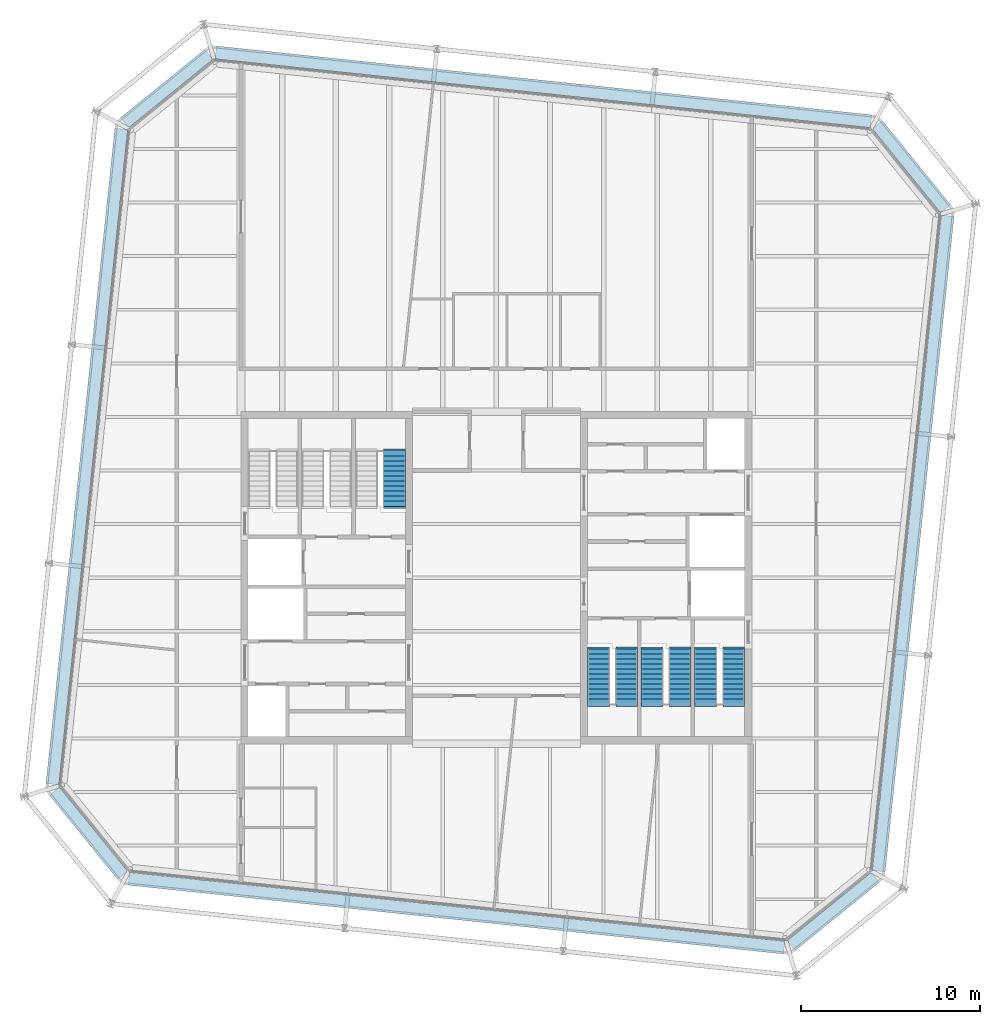
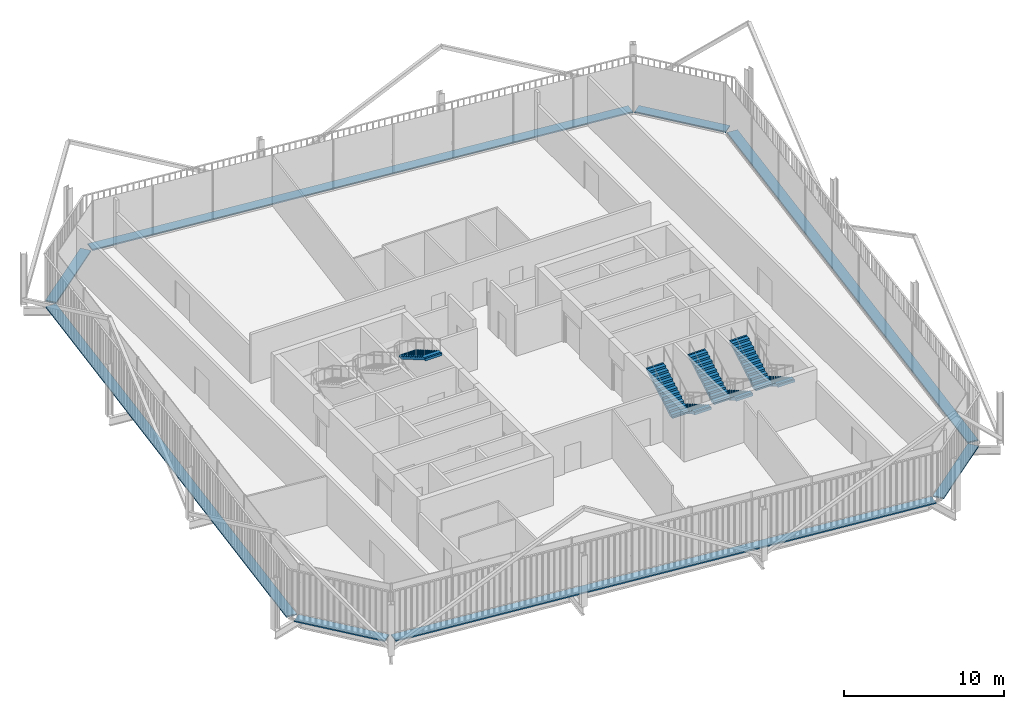
# One storey, part 20 of 21: 8 discrete accessories, 7 stair flights, 4 elements without a shape of their own.
"""IFC4 building model written with IfcOpenShell, lengths in metres."""

from ifc_helpers import new_model, si_unit, direction, frame, origin, origin_2d, place, context, subcontext, project, spatial, polyline, rectangle, outline, extrude, material, type_object, element, aggregate, save


model = new_model("IFC4")

# Units and contexts
model_context = context("Model", 3, precision=1e-05, world=origin(), true_north=direction((0.0, 1.0)))
body_context = subcontext(model_context, "Body", "Model", "MODEL_VIEW")
ifc_project = project(units=[si_unit("LENGTHUNIT", "METRE"), si_unit("AREAUNIT", "SQUARE_METRE"), si_unit("VOLUMEUNIT", "CUBIC_METRE"), si_unit("PLANEANGLEUNIT", "RADIAN"), si_unit("MASSUNIT", "GRAM", prefix="KILO")], contexts=[model_context])

# Site, building, storey
site_placement = place(None, origin())
site = spatial("IfcSite", under=ifc_project, at=site_placement, CompositionType="ELEMENT")
building_placement = place(site_placement, origin())
building = spatial("IfcBuilding", under=site, at=building_placement, Name="Millrace Tower", CompositionType="ELEMENT")
storey_placement = place(building_placement, frame((0.0, 0.0, 318.699951171875)))
storey = spatial("IfcBuildingStorey", under=building, at=storey_placement, Name="L73", CompositionType="ELEMENT", Elevation=318.699951171875)

# Stair, stair flight
ifc_material_1 = material(Name="Concrete C35", Category="concrete")
stair_type = type_object("IfcStairType", Name="Exit stair", PredefinedType="HALF_TURN_STAIR", material=ifc_material_1)
placement = place(storey_placement, origin())
stair_1 = element("IfcStair", 1, at=placement, inside=storey, type_object=stair_type, Name="Stair 3 W L73", PredefinedType="HALF_TURN_STAIR")
ifc_material_2 = material(Name="Concrete C35", Category="concrete")
stair_flight_type = type_object("IfcStairFlightType", Name="Exit stair flight", PredefinedType="STRAIGHT", material=ifc_material_2)
stair_flight_1_placement = place(storey_placement, frame((-5.7099609375, 7.080078125, 1.949951171875), z_axis=(0.0, 0.0, 1.0), x_axis=(0.0, -1.0, 0.0)))
stair_flight_1 = element("IfcStairFlight", 2, at=stair_flight_1_placement, type_object=stair_flight_type, Name="ST12 flight 2", NumberOfRisers=12, NumberOfTreads=11, PredefinedType="STRAIGHT", RiserHeight=0.1625, TreadLength=0.28, context=body_context, shape_type="SweptSolid", body=[
    extrude(outline(polyline([(-0.1201171875, -0.0400390625), (-0.1201171875, 0.0), (0.0, 0.0), (0.0, 0.16259765625), (0.280029296875, 0.16259765625), (0.280029296875, 0.324951171875), (0.56005859375, 0.324951171875), (0.56005859375, 0.487548828125), (0.840087890625, 0.487548828125), (0.840087890625, 0.64990234375), (1.1201171875, 0.64990234375), (1.1201171875, 0.8125), (1.39990234375, 0.8125), (1.39990234375, 0.97509765625), (1.679931640625, 0.97509765625), (1.679931640625, 1.137451171875), (1.9599609375, 1.137451171875), (1.9599609375, 1.300048828125), (2.239990234375, 1.300048828125), (2.239990234375, 1.46240234375), (2.52001953125, 1.46240234375), (2.52001953125, 1.625), (2.800048828125, 1.625), (2.800048828125, 1.78759765625), (3.080078125, 1.78759765625), (3.080078125, 1.8076171875), (3.199951171875, 1.8076171875), (3.199951171875, 1.6142578125), (3.080078125, 1.6142578125), (0.298583984375, 0.0), (0.298583984375, -0.0400390625), (-0.1201171875, -0.0400390625)])), frame((0.0, 0.60986328125, 0.0), z_axis=(0.0, -1.0, 0.0), x_axis=(1.0, 0.0, 0.0)), (0.0, 0.0, 1.0), 1.219970703125),
])
aggregate(stair_1, [stair_flight_1])

# Stair, stair flights
stair_2 = element("IfcStair", 3, at=placement, inside=storey, type_object=stair_type, Name="Stair 1 E L73", PredefinedType="HALF_TURN_STAIR")
stair_flight_2_placement = place(storey_placement, frame((13.2900390625, -4.0, 0.0), z_axis=(0.0, 0.0, 1.0), x_axis=(0.0, -1.0, 0.0)))
stair_flight_2 = element("IfcStairFlight", 4, at=stair_flight_2_placement, type_object=stair_flight_type, Name="ST12 flight 1", NumberOfRisers=12, NumberOfTreads=11, PredefinedType="STRAIGHT", RiserHeight=0.1625, TreadLength=0.28, context=body_context, shape_type="SweptSolid", body=[
    extrude(outline(polyline([(-0.1201171875, -0.0400390625), (-0.1201171875, 0.0), (0.0, 0.0), (0.0, 0.16259765625), (0.280029296875, 0.16259765625), (0.280029296875, 0.324951171875), (0.56005859375, 0.324951171875), (0.56005859375, 0.487548828125), (0.840087890625, 0.487548828125), (0.840087890625, 0.64990234375), (1.1201171875, 0.64990234375), (1.1201171875, 0.8125), (1.39990234375, 0.8125), (1.39990234375, 0.97509765625), (1.679931640625, 0.97509765625), (1.679931640625, 1.137451171875), (1.9599609375, 1.137451171875), (1.9599609375, 1.300048828125), (2.239990234375, 1.300048828125), (2.239990234375, 1.46240234375), (2.52001953125, 1.46240234375), (2.52001953125, 1.625), (2.800048828125, 1.625), (2.800048828125, 1.78759765625), (3.080078125, 1.78759765625), (3.080078125, 1.8076171875), (3.199951171875, 1.8076171875), (3.199951171875, 1.6142578125), (3.080078125, 1.6142578125), (0.298583984375, 0.0), (0.298583984375, -0.0400390625), (-0.1201171875, -0.0400390625)])), frame((0.0, 0.60986328125, 0.0), z_axis=(0.0, -1.0, 0.0), x_axis=(1.0, 0.0, 0.0)), (0.0, 0.0, 1.0), 1.219970703125),
])
stair_flight_3_placement = place(storey_placement, frame((11.7099609375, -7.080078125, 1.949951171875), z_axis=(0.0, 0.0, 1.0), x_axis=(0.0, 1.0, 0.0)))
stair_flight_3 = element("IfcStairFlight", 5, at=stair_flight_3_placement, type_object=stair_flight_type, Name="ST12 flight 2", NumberOfRisers=12, NumberOfTreads=11, PredefinedType="STRAIGHT", RiserHeight=0.1625, TreadLength=0.28, context=body_context, shape_type="SweptSolid", body=[
    extrude(outline(polyline([(-0.1201171875, -0.0400390625), (-0.1201171875, 0.0), (0.0, 0.0), (0.0, 0.16259765625), (0.280029296875, 0.16259765625), (0.280029296875, 0.324951171875), (0.56005859375, 0.324951171875), (0.56005859375, 0.487548828125), (0.840087890625, 0.487548828125), (0.840087890625, 0.64990234375), (1.1201171875, 0.64990234375), (1.1201171875, 0.8125), (1.39990234375, 0.8125), (1.39990234375, 0.97509765625), (1.679931640625, 0.97509765625), (1.679931640625, 1.137451171875), (1.9599609375, 1.137451171875), (1.9599609375, 1.300048828125), (2.239990234375, 1.300048828125), (2.239990234375, 1.46240234375), (2.52001953125, 1.46240234375), (2.52001953125, 1.625), (2.800048828125, 1.625), (2.800048828125, 1.78759765625), (3.080078125, 1.78759765625), (3.080078125, 1.8076171875), (3.199951171875, 1.8076171875), (3.199951171875, 1.6142578125), (3.080078125, 1.6142578125), (0.298583984375, 0.0), (0.298583984375, -0.0400390625), (-0.1201171875, -0.0400390625)])), frame((0.0, 0.60986328125, 0.0), z_axis=(0.0, -1.0, 0.0), x_axis=(1.0, 0.0, 0.0)), (0.0, 0.0, 1.0), 1.219970703125),
])
aggregate(stair_2, [stair_flight_2, stair_flight_3])

stair_3 = element("IfcStair", 6, at=placement, inside=storey, type_object=stair_type, Name="Stair 2 E L73", PredefinedType="HALF_TURN_STAIR")
stair_flight_4_placement = place(storey_placement, frame((10.2900390625, -4.0, 0.0), z_axis=(0.0, 0.0, 1.0), x_axis=(0.0, -1.0, 0.0)))
stair_flight_4 = element("IfcStairFlight", 7, at=stair_flight_4_placement, type_object=stair_flight_type, Name="ST12 flight 1", NumberOfRisers=12, NumberOfTreads=11, PredefinedType="STRAIGHT", RiserHeight=0.1625, TreadLength=0.28, context=body_context, shape_type="SweptSolid", body=[
    extrude(outline(polyline([(-0.1201171875, -0.0400390625), (-0.1201171875, 0.0), (0.0, 0.0), (0.0, 0.16259765625), (0.280029296875, 0.16259765625), (0.280029296875, 0.324951171875), (0.56005859375, 0.324951171875), (0.56005859375, 0.487548828125), (0.840087890625, 0.487548828125), (0.840087890625, 0.64990234375), (1.1201171875, 0.64990234375), (1.1201171875, 0.8125), (1.39990234375, 0.8125), (1.39990234375, 0.97509765625), (1.679931640625, 0.97509765625), (1.679931640625, 1.137451171875), (1.9599609375, 1.137451171875), (1.9599609375, 1.300048828125), (2.239990234375, 1.300048828125), (2.239990234375, 1.46240234375), (2.52001953125, 1.46240234375), (2.52001953125, 1.625), (2.800048828125, 1.625), (2.800048828125, 1.78759765625), (3.080078125, 1.78759765625), (3.080078125, 1.8076171875), (3.199951171875, 1.8076171875), (3.199951171875, 1.6142578125), (3.080078125, 1.6142578125), (0.298583984375, 0.0), (0.298583984375, -0.0400390625), (-0.1201171875, -0.0400390625)])), frame((0.0, 0.60986328125, 0.0), z_axis=(0.0, -1.0, 0.0), x_axis=(1.0, 0.0, 0.0)), (0.0, 0.0, 1.0), 1.219970703125),
])
stair_flight_5_placement = place(storey_placement, frame((8.7099609375, -7.080078125, 1.949951171875), z_axis=(0.0, 0.0, 1.0), x_axis=(0.0, 1.0, 0.0)))
stair_flight_5 = element("IfcStairFlight", 8, at=stair_flight_5_placement, type_object=stair_flight_type, Name="ST12 flight 2", NumberOfRisers=12, NumberOfTreads=11, PredefinedType="STRAIGHT", RiserHeight=0.1625, TreadLength=0.28, context=body_context, shape_type="SweptSolid", body=[
    extrude(outline(polyline([(-0.1201171875, -0.0400390625), (-0.1201171875, 0.0), (0.0, 0.0), (0.0, 0.16259765625), (0.280029296875, 0.16259765625), (0.280029296875, 0.324951171875), (0.56005859375, 0.324951171875), (0.56005859375, 0.487548828125), (0.840087890625, 0.487548828125), (0.840087890625, 0.64990234375), (1.1201171875, 0.64990234375), (1.1201171875, 0.8125), (1.39990234375, 0.8125), (1.39990234375, 0.97509765625), (1.679931640625, 0.97509765625), (1.679931640625, 1.137451171875), (1.9599609375, 1.137451171875), (1.9599609375, 1.300048828125), (2.239990234375, 1.300048828125), (2.239990234375, 1.46240234375), (2.52001953125, 1.46240234375), (2.52001953125, 1.625), (2.800048828125, 1.625), (2.800048828125, 1.78759765625), (3.080078125, 1.78759765625), (3.080078125, 1.8076171875), (3.199951171875, 1.8076171875), (3.199951171875, 1.6142578125), (3.080078125, 1.6142578125), (0.298583984375, 0.0), (0.298583984375, -0.0400390625), (-0.1201171875, -0.0400390625)])), frame((0.0, 0.60986328125, 0.0), z_axis=(0.0, -1.0, 0.0), x_axis=(1.0, 0.0, 0.0)), (0.0, 0.0, 1.0), 1.219970703125),
])
aggregate(stair_3, [stair_flight_4, stair_flight_5])

stair_4 = element("IfcStair", 9, at=placement, inside=storey, type_object=stair_type, Name="Stair 3 E L73", PredefinedType="HALF_TURN_STAIR")
stair_flight_6_placement = place(storey_placement, frame((7.2900390625, -4.0, 0.0), z_axis=(0.0, 0.0, 1.0), x_axis=(0.0, -1.0, 0.0)))
stair_flight_6 = element("IfcStairFlight", 10, at=stair_flight_6_placement, type_object=stair_flight_type, Name="ST12 flight 1", NumberOfRisers=12, NumberOfTreads=11, PredefinedType="STRAIGHT", RiserHeight=0.1625, TreadLength=0.28, context=body_context, shape_type="SweptSolid", body=[
    extrude(outline(polyline([(-0.1201171875, -0.0400390625), (-0.1201171875, 0.0), (0.0, 0.0), (0.0, 0.16259765625), (0.280029296875, 0.16259765625), (0.280029296875, 0.324951171875), (0.56005859375, 0.324951171875), (0.56005859375, 0.487548828125), (0.840087890625, 0.487548828125), (0.840087890625, 0.64990234375), (1.1201171875, 0.64990234375), (1.1201171875, 0.8125), (1.39990234375, 0.8125), (1.39990234375, 0.97509765625), (1.679931640625, 0.97509765625), (1.679931640625, 1.137451171875), (1.9599609375, 1.137451171875), (1.9599609375, 1.300048828125), (2.239990234375, 1.300048828125), (2.239990234375, 1.46240234375), (2.52001953125, 1.46240234375), (2.52001953125, 1.625), (2.800048828125, 1.625), (2.800048828125, 1.78759765625), (3.080078125, 1.78759765625), (3.080078125, 1.8076171875), (3.199951171875, 1.8076171875), (3.199951171875, 1.6142578125), (3.080078125, 1.6142578125), (0.298583984375, 0.0), (0.298583984375, -0.0400390625), (-0.1201171875, -0.0400390625)])), frame((0.0, 0.60986328125, 0.0), z_axis=(0.0, -1.0, 0.0), x_axis=(1.0, 0.0, 0.0)), (0.0, 0.0, 1.0), 1.219970703125),
])
stair_flight_7_placement = place(storey_placement, frame((5.7099609375, -7.080078125, 1.949951171875), z_axis=(0.0, 0.0, 1.0), x_axis=(0.0, 1.0, 0.0)))
stair_flight_7 = element("IfcStairFlight", 11, at=stair_flight_7_placement, type_object=stair_flight_type, Name="ST12 flight 2", NumberOfRisers=12, NumberOfTreads=11, PredefinedType="STRAIGHT", RiserHeight=0.1625, TreadLength=0.28, context=body_context, shape_type="SweptSolid", body=[
    extrude(outline(polyline([(-0.1201171875, -0.0400390625), (-0.1201171875, 0.0), (0.0, 0.0), (0.0, 0.16259765625), (0.280029296875, 0.16259765625), (0.280029296875, 0.324951171875), (0.56005859375, 0.324951171875), (0.56005859375, 0.487548828125), (0.840087890625, 0.487548828125), (0.840087890625, 0.64990234375), (1.1201171875, 0.64990234375), (1.1201171875, 0.8125), (1.39990234375, 0.8125), (1.39990234375, 0.97509765625), (1.679931640625, 0.97509765625), (1.679931640625, 1.137451171875), (1.9599609375, 1.137451171875), (1.9599609375, 1.300048828125), (2.239990234375, 1.300048828125), (2.239990234375, 1.46240234375), (2.52001953125, 1.46240234375), (2.52001953125, 1.625), (2.800048828125, 1.625), (2.800048828125, 1.78759765625), (3.080078125, 1.78759765625), (3.080078125, 1.8076171875), (3.199951171875, 1.8076171875), (3.199951171875, 1.6142578125), (3.080078125, 1.6142578125), (0.298583984375, 0.0), (0.298583984375, -0.0400390625), (-0.1201171875, -0.0400390625)])), frame((0.0, 0.60986328125, 0.0), z_axis=(0.0, -1.0, 0.0), x_axis=(1.0, 0.0, 0.0)), (0.0, 0.0, 1.0), 1.219970703125),
])
aggregate(stair_4, [stair_flight_6, stair_flight_7])

# Discrete accessories
ifc_material_3 = material(Name="Stainless steel ASTM A240 type 316", Category="steel")
discrete_accessory_type = type_object("IfcDiscreteAccessoryType", Name="Thermally broken screen support rail", PredefinedType="BRACKET", material=ifc_material_3)
discrete_accessory_1_placement = place(storey_placement, frame((-22.836669921875, -14.304931640625, 0.0), z_axis=(0.0, 0.0, 1.0), x_axis=(0.629320278945, -0.777146052237, 0.0)))
element("IfcDiscreteAccessory", 12, at=discrete_accessory_1_placement, inside=storey, type_object=discrete_accessory_type, Name="Thermally broken screen support rail E-F01 L73 1", PredefinedType="BRACKET", context=body_context, shape_type="SweptSolid", body=[
    extrude(rectangle(XDim=6.0810546875, YDim=0.719970703125, at=origin_2d()), origin(), (0.0, 0.0, 1.0), 0.10009765625),
])
discrete_accessory_2_placement = place(storey_placement, frame((-2.2314453125, -18.782470703125, 0.0), z_axis=(0.0, 0.0, 1.0), x_axis=(0.994521896217, -0.104528455196, 0.0)))
element("IfcDiscreteAccessory", 13, at=discrete_accessory_2_placement, inside=storey, type_object=discrete_accessory_type, Name="Thermally broken screen support rail E-F02 L73 1", PredefinedType="BRACKET", context=body_context, shape_type="SweptSolid", body=[
    extrude(rectangle(XDim=36.89990234375, YDim=0.719970703125, at=origin_2d()), origin(), (0.0, 0.0, 1.0), 0.10009765625),
])
discrete_accessory_3_placement = place(storey_placement, frame((18.854736328125, -18.686767578125, 0.0), z_axis=(0.0, 0.0, 1.0), x_axis=(0.777146052237, 0.629320278945, 0.0)))
element("IfcDiscreteAccessory", 14, at=discrete_accessory_3_placement, inside=storey, type_object=discrete_accessory_type, Name="Thermally broken screen support rail E-F03 L73 1", PredefinedType="BRACKET", context=body_context, shape_type="SweptSolid", body=[
    extrude(rectangle(XDim=6.0810546875, YDim=0.719970703125, at=origin_2d()), origin(), (0.0, 0.0, 1.0), 0.10009765625),
])
discrete_accessory_4_placement = place(storey_placement, frame((23.33251953125, 1.918701171875, 0.0), z_axis=(0.0, 0.0, 1.0), x_axis=(0.104528455196, 0.994521896217, 0.0)))
element("IfcDiscreteAccessory", 15, at=discrete_accessory_4_placement, inside=storey, type_object=discrete_accessory_type, Name="Thermally broken screen support rail E-F04 L73 1", PredefinedType="BRACKET", context=body_context, shape_type="SweptSolid", body=[
    extrude(rectangle(XDim=36.89990234375, YDim=0.719970703125, at=origin_2d()), origin(), (0.0, 0.0, 1.0), 0.10009765625),
])
discrete_accessory_5_placement = place(storey_placement, frame((23.23681640625, 23.0048828125, 0.0), z_axis=(0.0, 0.0, 1.0), x_axis=(-0.629320278945, 0.777146052237, 0.0)))
element("IfcDiscreteAccessory", 16, at=discrete_accessory_5_placement, inside=storey, type_object=discrete_accessory_type, Name="Thermally broken screen support rail E-F05 L73 1", PredefinedType="BRACKET", context=body_context, shape_type="SweptSolid", body=[
    extrude(rectangle(XDim=6.0810546875, YDim=0.719970703125, at=origin_2d()), origin(), (0.0, 0.0, 1.0), 0.10009765625),
])
discrete_accessory_6_placement = place(storey_placement, frame((2.63134765625, 27.482666015625, 0.0), z_axis=(0.0, 0.0, 1.0), x_axis=(-0.994521896217, 0.104528455196, 0.0)))
element("IfcDiscreteAccessory", 17, at=discrete_accessory_6_placement, inside=storey, type_object=discrete_accessory_type, Name="Thermally broken screen support rail E-F06 L73 1", PredefinedType="BRACKET", context=body_context, shape_type="SweptSolid", body=[
    extrude(rectangle(XDim=36.89990234375, YDim=0.719970703125, at=origin_2d()), origin(), (0.0, 0.0, 1.0), 0.10009765625),
])
discrete_accessory_7_placement = place(storey_placement, frame((-18.454833984375, 27.38671875, 0.0), z_axis=(0.0, 0.0, 1.0), x_axis=(-0.777146052237, -0.629320278945, 0.0)))
element("IfcDiscreteAccessory", 18, at=discrete_accessory_7_placement, inside=storey, type_object=discrete_accessory_type, Name="Thermally broken screen support rail E-F07 L73 1", PredefinedType="BRACKET", context=body_context, shape_type="SweptSolid", body=[
    extrude(rectangle(XDim=6.0810546875, YDim=0.719970703125, at=origin_2d()), origin(), (0.0, 0.0, 1.0), 0.10009765625),
])
discrete_accessory_8_placement = place(storey_placement, frame((-22.9326171875, 6.78125, 0.0), z_axis=(0.0, 0.0, 1.0), x_axis=(-0.104528455196, -0.994521896217, 0.0)))
element("IfcDiscreteAccessory", 19, at=discrete_accessory_8_placement, inside=storey, type_object=discrete_accessory_type, Name="Thermally broken screen support rail E-F08 L73 1", PredefinedType="BRACKET", context=body_context, shape_type="SweptSolid", body=[
    extrude(rectangle(XDim=36.89990234375, YDim=0.719970703125, at=origin_2d()), origin(), (0.0, 0.0, 1.0), 0.10009765625),
])

save(model, "model.ifc")
